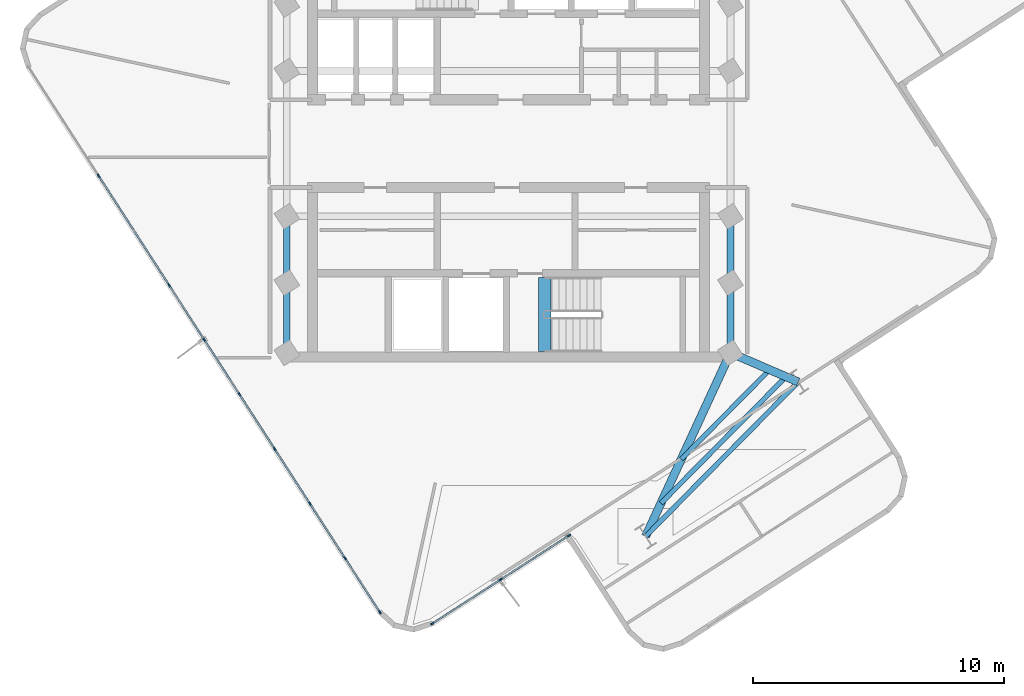
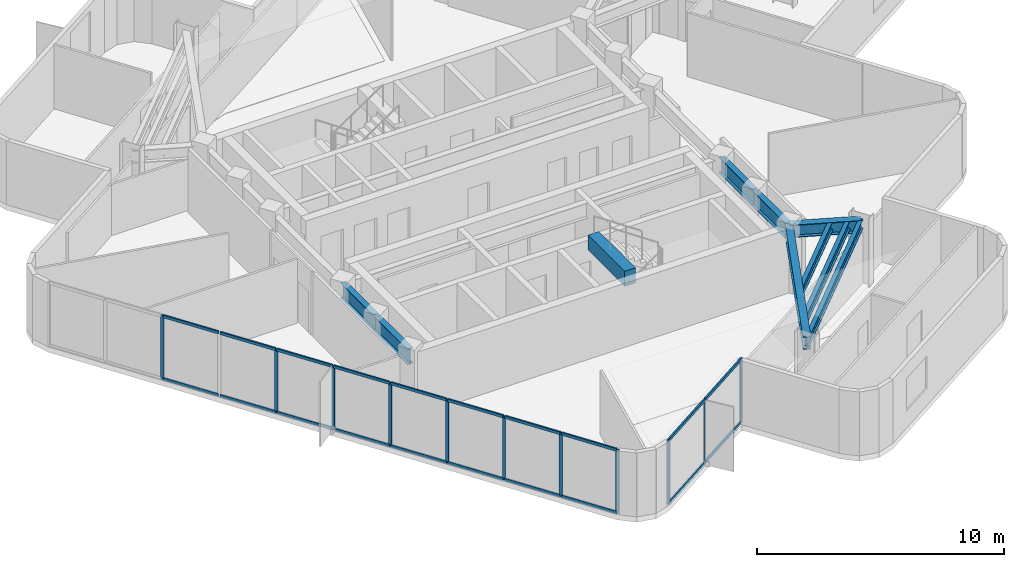
# One storey, part 2 of 9: 31 members, 10 beams, 2 elements without a shape of their own.
"""IFC4 building model written with IfcOpenShell, lengths in metres."""

from ifc_helpers import new_model, si_unit, direction, frame, origin, origin_2d, place, context, subcontext, project, spatial, rectangle, i_section, extrude, material, layer, layer_set, material_profile, profile_set, type_object, element, aggregate, save


model = new_model("IFC4")

# Units and contexts
model_context = context("Model", 3, precision=1e-05, world=origin(), true_north=direction((0.0, 1.0)))
body_context = subcontext(model_context, "Body", "Model", "MODEL_VIEW")
ifc_project = project(units=[si_unit("LENGTHUNIT", "METRE"), si_unit("AREAUNIT", "SQUARE_METRE"), si_unit("VOLUMEUNIT", "CUBIC_METRE"), si_unit("PLANEANGLEUNIT", "RADIAN"), si_unit("MASSUNIT", "GRAM", prefix="KILO")], contexts=[model_context])

# Site, building, storey
site_placement = place(None, origin())
site = spatial("IfcSite", under=ifc_project, at=site_placement, CompositionType="ELEMENT")
building_placement = place(site_placement, origin())
building = spatial("IfcBuilding", under=site, at=building_placement, Name="Solmarez Civic Tower", CompositionType="ELEMENT")
storey_placement = place(building_placement, frame((0.0, 0.0, 215.4599609375)))
storey = spatial("IfcBuildingStorey", under=building, at=storey_placement, Name="L57", CompositionType="ELEMENT", Elevation=215.4599609375)

# Beams
ifc_material_1 = material(Name="Steel S355", Category="steel")
ifc_material_profile_1 = material_profile(ifc_material_1, i_section(OverallWidth=0.19189453125, OverallDepth=0.462890625, WebThickness=0.010498046875, FlangeThickness=0.017578125, at=origin_2d()), Name="W18X60")
ifc_profile_set_1 = profile_set([ifc_material_profile_1], Name="Steel S355")
beam_type_1 = type_object("IfcBeamType", Name="BM-JS-W18X60", PredefinedType="JOIST", material=ifc_profile_set_1)
beam_1_placement = place(storey_placement, frame((5.468017578125, -15.6708984375, 2.927978515625), z_axis=(0.702766092364, 0.711420986072, 0.0), x_axis=(-0.711420986072, 0.702766092364, 0.0)))
element("IfcBeam", 1, at=beam_1_placement, inside=storey, type_object=beam_type_1, Name="L57 Secondary Floor Joist BM-L57-SA-T1", PredefinedType="JOIST", context=body_context, shape_type="SweptSolid", body=[
    extrude(i_section(OverallWidth=0.19189453125, OverallDepth=0.462890625, WebThickness=0.010498046875, FlangeThickness=0.017578125, at=origin_2d()), origin(), (0.0, 0.0, 1.0), 8.659912109375),
])
beam_2_placement = place(storey_placement, frame((6.887939453125, -12.595947265625, 2.927978515625), z_axis=(0.702816380081, 0.711371306625, 0.0), x_axis=(-0.711371306625, 0.702816380081, 0.0)))
element("IfcBeam", 2, at=beam_2_placement, inside=storey, type_object=beam_type_1, Name="L57 Secondary Floor Joist JS-L57-SA-M11", PredefinedType="JOIST", context=body_context, shape_type="SweptSolid", body=[
    extrude(i_section(OverallWidth=0.19189453125, OverallDepth=0.462890625, WebThickness=0.010498046875, FlangeThickness=0.017578125, at=origin_2d()), origin(), (0.0, 0.0, 1.0), 5.022705078125),
])
beam_3_placement = place(storey_placement, frame((6.076904296875, -14.35302734375, 2.927978515625), z_axis=(0.702726827997, 0.711459770622, 0.0), x_axis=(-0.711459770622, 0.702726827997, 0.0)))
element("IfcBeam", 3, at=beam_3_placement, inside=storey, type_object=beam_type_1, Name="L57 Secondary Floor Joist JS-L57-SA-M12", PredefinedType="JOIST", context=body_context, shape_type="SweptSolid", body=[
    extrude(i_section(OverallWidth=0.19189453125, OverallDepth=0.462890625, WebThickness=0.010498046875, FlangeThickness=0.017578125, at=origin_2d()), origin(), (0.0, 0.0, 1.0), 7.100830078125),
])
ifc_material_2 = material(Name="Concrete C50/60", Category="concrete")
ifc_material_profile_2 = material_profile(ifc_material_2, rectangle(XDim=0.5, YDim=0.75, at=origin_2d()), Name="RC500X750")
ifc_profile_set_2 = profile_set([ifc_material_profile_2], Name="Concrete C50/60")
beam_type_2 = type_object("IfcBeamType", Name="BM-PR-RC500X750", PredefinedType="BEAM", material=ifc_profile_set_2)
beam_4_placement = place(storey_placement, frame((1.449951171875, -8.300048828125, 3.052978515625), z_axis=(0.0, 1.0, 0.0), x_axis=(-1.0, 0.0, 0.0)))
element("IfcBeam", 4, at=beam_4_placement, inside=storey, type_object=beam_type_2, Name="L57 South Stair Threshold Beam", PredefinedType="BEAM", context=body_context, shape_type="SweptSolid", body=[
    extrude(rectangle(XDim=0.5, YDim=0.75, at=origin_2d()), origin(), (0.0, 0.0, 1.0), 2.9599609375),
])
ifc_material_profile_3 = material_profile(ifc_material_1, i_section(OverallWidth=0.327880859375, OverallDepth=0.6220703125, WebThickness=0.015380859375, FlangeThickness=0.0244140625, at=origin_2d()), Name="W24X131")
ifc_profile_set_3 = profile_set([ifc_material_profile_3], Name="Steel S355")
beam_type_3 = type_object("IfcBeamType", Name="BM-PR-W24X131", PredefinedType="BEAM", material=ifc_profile_set_3)
beam_5_placement = place(storey_placement, frame((8.85009765625, -8.35009765625, 2.84912109375), z_axis=(-0.419390280967, -0.907806032273, 0.0), x_axis=(0.907806032273, -0.419390280967, 0.0)))
element("IfcBeam", 5, at=beam_5_placement, inside=storey, type_object=beam_type_3, Name="L57 Primary Floor Beam BM-L57-SA-R1A", PredefinedType="BEAM", context=body_context, shape_type="SweptSolid", body=[
    extrude(i_section(OverallWidth=0.327880859375, OverallDepth=0.6220703125, WebThickness=0.015380859375, FlangeThickness=0.0244140625, at=origin_2d()), origin(), (0.0, 0.0, 1.0), 8.064208984375),
])
beam_6_placement = place(storey_placement, frame((8.85009765625, -8.35009765625, 2.84912109375), z_axis=(0.919007627325, -0.394239750557, 0.0), x_axis=(0.394239750557, 0.919007627325, 0.0)))
element("IfcBeam", 6, at=beam_6_placement, inside=storey, type_object=beam_type_3, Name="L57 Primary Floor Beam BM-L57-SA-R1B", PredefinedType="BEAM", context=body_context, shape_type="SweptSolid", body=[
    extrude(i_section(OverallWidth=0.327880859375, OverallDepth=0.6220703125, WebThickness=0.015380859375, FlangeThickness=0.0244140625, at=origin_2d()), origin(), (0.0, 0.0, 1.0), 2.942138671875),
])
ifc_material_profile_4 = material_profile(ifc_material_1, i_section(OverallWidth=0.26708984375, OverallDepth=0.761962890625, WebThickness=0.014404296875, FlangeThickness=0.021484375, at=origin_2d()), Name="W30X116")
ifc_profile_set_4 = profile_set([ifc_material_profile_4], Name="Steel S355")
beam_type_4 = type_object("IfcBeamType", Name="BM-PR-W30X116", PredefinedType="BEAM", material=ifc_profile_set_4)
beam_7_placement = place(storey_placement, frame((-8.85009765625, -8.35009765625, 2.779052734375), z_axis=(0.0, 1.0, 0.0), x_axis=(-1.0, 0.0, 0.0)))
element("IfcBeam", 7, at=beam_7_placement, inside=storey, type_object=beam_type_4, Name="L57 Primary Floor Beam BM-L57-HC12-HC1", PredefinedType="BEAM", context=body_context, shape_type="SweptSolid", body=[
    extrude(i_section(OverallWidth=0.26708984375, OverallDepth=0.761962890625, WebThickness=0.014404296875, FlangeThickness=0.021484375, at=origin_2d()), origin(), (0.0, 0.0, 1.0), 2.800048828125),
])
beam_8_placement = place(storey_placement, frame((-8.85009765625, -5.550048828125, 2.779052734375), z_axis=(0.0, 1.0, 0.0), x_axis=(-1.0, 0.0, 0.0)))
element("IfcBeam", 8, at=beam_8_placement, inside=storey, type_object=beam_type_4, Name="L57 Primary Floor Beam BM-L57-HC1-HC2", PredefinedType="BEAM", context=body_context, shape_type="SweptSolid", body=[
    extrude(i_section(OverallWidth=0.26708984375, OverallDepth=0.761962890625, WebThickness=0.014404296875, FlangeThickness=0.021484375, at=origin_2d()), origin(), (0.0, 0.0, 1.0), 2.650146484375),
])
beam_9_placement = place(storey_placement, frame((8.85009765625, -8.35009765625, 2.779052734375), z_axis=(0.0, 1.0, 0.0), x_axis=(-1.0, 0.0, 0.0)))
element("IfcBeam", 9, at=beam_9_placement, inside=storey, type_object=beam_type_4, Name="L57 Primary Floor Beam BM-L57-HC10-HC5", PredefinedType="BEAM", context=body_context, shape_type="SweptSolid", body=[
    extrude(i_section(OverallWidth=0.26708984375, OverallDepth=0.761962890625, WebThickness=0.014404296875, FlangeThickness=0.021484375, at=origin_2d()), origin(), (0.0, 0.0, 1.0), 2.800048828125),
])
beam_10_placement = place(storey_placement, frame((8.85009765625, -5.550048828125, 2.779052734375), z_axis=(0.0, 1.0, 0.0), x_axis=(-1.0, 0.0, 0.0)))
element("IfcBeam", 10, at=beam_10_placement, inside=storey, type_object=beam_type_4, Name="L57 Primary Floor Beam BM-L57-HC5-HC6", PredefinedType="BEAM", context=body_context, shape_type="SweptSolid", body=[
    extrude(i_section(OverallWidth=0.26708984375, OverallDepth=0.761962890625, WebThickness=0.014404296875, FlangeThickness=0.021484375, at=origin_2d()), origin(), (0.0, 0.0, 1.0), 2.650146484375),
])

# Curtain wall, members
ifc_material_3 = material(Name="Bronze Anodised Aluminium EN AW-6063 T6", Category="aluminium")
ifc_layer = layer(ifc_material_3, 0.1650390625)
ifc_layer_set = layer_set([ifc_layer], Name="Bronze Anodised Aluminium EN AW-6063 T6")
curtain_wall_type = type_object("IfcCurtainWallType", Name="CW-SYS-4", PredefinedType="NOTDEFINED", material=ifc_layer_set)
curtain_wall_1_placement = place(storey_placement, origin())
curtain_wall_1 = element("IfcCurtainWall", 11, at=curtain_wall_1_placement, inside=storey, type_object=curtain_wall_type, Name="L57 Stick-Built Curtain Wall 1", PredefinedType="NOTDEFINED")
ifc_material_profile_5 = material_profile(ifc_material_3, rectangle(XDim=0.06005859375, YDim=0.14990234375, at=origin_2d()), Name="CWM-60X150")
ifc_profile_set_5 = profile_set([ifc_material_profile_5], Name="Bronze Anodised Aluminium EN AW-6063 T6")
member_type_1 = type_object("IfcMemberType", Name="CWM-TYPE-4", PredefinedType="MULLION", material=ifc_profile_set_5)
member_1_placement = place(storey_placement, frame((2.40576171875, -15.64013671875, 0.0), z_axis=(0.0, 0.0, 1.0), x_axis=(0.541722933977, -0.84055711454, 0.0)))
member_1 = element("IfcMember", 12, at=member_1_placement, type_object=member_type_1, Name="CWS4 mullion 1", PredefinedType="MULLION", context=body_context, shape_type="SweptSolid", body=[
    extrude(rectangle(XDim=0.06005859375, YDim=0.14990234375, at=origin_2d()), origin(), (0.0, 0.0, 1.0), 3.16015625),
])
member_2_placement = place(storey_placement, frame((-0.318603515625, -17.39599609375, 0.0), z_axis=(0.0, 0.0, 1.0), x_axis=(0.541722933977, -0.84055711454, 0.0)))
member_2 = element("IfcMember", 13, at=member_2_placement, type_object=member_type_1, Name="CWS4 mullion 2", PredefinedType="MULLION", context=body_context, shape_type="SweptSolid", body=[
    extrude(rectangle(XDim=0.06005859375, YDim=0.14990234375, at=origin_2d()), origin(), (0.0, 0.0, 1.0), 3.16015625),
])
member_3_placement = place(storey_placement, frame((-3.042724609375, -19.15185546875, 0.0), z_axis=(0.0, 0.0, 1.0), x_axis=(0.541722933977, -0.84055711454, 0.0)))
member_3 = element("IfcMember", 14, at=member_3_placement, type_object=member_type_1, Name="CWS4 mullion 3", PredefinedType="MULLION", context=body_context, shape_type="SweptSolid", body=[
    extrude(rectangle(XDim=0.06005859375, YDim=0.14990234375, at=origin_2d()), origin(), (0.0, 0.0, 1.0), 3.16015625),
])

curtain_wall_2_placement = place(storey_placement, origin())
curtain_wall_2 = element("IfcCurtainWall", 15, at=curtain_wall_2_placement, inside=storey, type_object=curtain_wall_type, Name="L57 Stick-Built Curtain Wall 2", PredefinedType="NOTDEFINED")
member_4_placement = place(storey_placement, frame((-5.14013671875, -18.69775390625, 0.0), z_axis=(0.0, 0.0, 1.0), x_axis=(-0.840555031971, -0.541726165354, 0.0)))
member_4 = element("IfcMember", 16, at=member_4_placement, type_object=member_type_1, Name="CWS4 mullion 1", PredefinedType="MULLION", context=body_context, shape_type="SweptSolid", body=[
    extrude(rectangle(XDim=0.06005859375, YDim=0.14990234375, at=origin_2d()), origin(), (0.0, 0.0, 1.0), 3.16015625),
])
member_5_placement = place(storey_placement, frame((-6.5283203125, -16.5439453125, 0.0), z_axis=(0.0, 0.0, 1.0), x_axis=(-0.840555031971, -0.541726165354, 0.0)))
member_5 = element("IfcMember", 17, at=member_5_placement, type_object=member_type_1, Name="CWS4 mullion 2", PredefinedType="MULLION", context=body_context, shape_type="SweptSolid", body=[
    extrude(rectangle(XDim=0.06005859375, YDim=0.14990234375, at=origin_2d()), origin(), (0.0, 0.0, 1.0), 3.16015625),
])
member_6_placement = place(storey_placement, frame((-7.932861328125, -14.36474609375, 0.0), z_axis=(0.0, 0.0, 1.0), x_axis=(-0.840555031971, -0.541726165354, 0.0)))
member_6 = element("IfcMember", 18, at=member_6_placement, type_object=member_type_1, Name="CWS4 mullion 3", PredefinedType="MULLION", context=body_context, shape_type="SweptSolid", body=[
    extrude(rectangle(XDim=0.06005859375, YDim=0.14990234375, at=origin_2d()), origin(), (0.0, 0.0, 1.0), 3.16015625),
])
member_7_placement = place(storey_placement, frame((-9.337158203125, -12.185791015625, 0.0), z_axis=(0.0, 0.0, 1.0), x_axis=(-0.840555031971, -0.541726165354, 0.0)))
member_7 = element("IfcMember", 19, at=member_7_placement, type_object=member_type_1, Name="CWS4 mullion 4", PredefinedType="MULLION", context=body_context, shape_type="SweptSolid", body=[
    extrude(rectangle(XDim=0.06005859375, YDim=0.14990234375, at=origin_2d()), origin(), (0.0, 0.0, 1.0), 3.16015625),
])
member_8_placement = place(storey_placement, frame((-10.74169921875, -10.006591796875, 0.0), z_axis=(0.0, 0.0, 1.0), x_axis=(-0.840555031971, -0.541726165354, 0.0)))
member_8 = element("IfcMember", 20, at=member_8_placement, type_object=member_type_1, Name="CWS4 mullion 5", PredefinedType="MULLION", context=body_context, shape_type="SweptSolid", body=[
    extrude(rectangle(XDim=0.06005859375, YDim=0.14990234375, at=origin_2d()), origin(), (0.0, 0.0, 1.0), 3.16015625),
])
member_9_placement = place(storey_placement, frame((-12.14599609375, -7.827392578125, 0.0), z_axis=(0.0, 0.0, 1.0), x_axis=(-0.840555031971, -0.541726165354, 0.0)))
member_9 = element("IfcMember", 21, at=member_9_placement, type_object=member_type_1, Name="CWS4 mullion 6", PredefinedType="MULLION", context=body_context, shape_type="SweptSolid", body=[
    extrude(rectangle(XDim=0.06005859375, YDim=0.14990234375, at=origin_2d()), origin(), (0.0, 0.0, 1.0), 3.16015625),
])
member_10_placement = place(storey_placement, frame((-13.55029296875, -5.6484375, 0.0), z_axis=(0.0, 0.0, 1.0), x_axis=(-0.840555031971, -0.541726165354, 0.0)))
member_10 = element("IfcMember", 22, at=member_10_placement, type_object=member_type_1, Name="CWS4 mullion 7", PredefinedType="MULLION", context=body_context, shape_type="SweptSolid", body=[
    extrude(rectangle(XDim=0.06005859375, YDim=0.14990234375, at=origin_2d()), origin(), (0.0, 0.0, 1.0), 3.16015625),
])
member_11_placement = place(storey_placement, frame((-16.359130859375, -1.290283203125, 0.0), z_axis=(0.0, 0.0, 1.0), x_axis=(-0.840555031971, -0.541726165354, 0.0)))
member_11 = element("IfcMember", 23, at=member_11_placement, type_object=member_type_1, Name="CWS4 mullion 9", PredefinedType="MULLION", context=body_context, shape_type="SweptSolid", body=[
    extrude(rectangle(XDim=0.06005859375, YDim=0.14990234375, at=origin_2d()), origin(), (0.0, 0.0, 1.0), 3.16015625),
])

# Member
ifc_material_profile_6 = material_profile(ifc_material_3, rectangle(XDim=0.070068359375, YDim=0.139892578125, at=origin_2d()), Name="CWT-70X140")
ifc_profile_set_6 = profile_set([ifc_material_profile_6], Name="Bronze Anodised Aluminium EN AW-6063 T6")
member_type_2 = type_object("IfcMemberType", Name="CWT-TYPE-1", PredefinedType="USERDEFINED", material=ifc_profile_set_6)
member_12_placement = place(storey_placement, frame((2.380615234375, -15.656494140625, 0.03515625), z_axis=(-0.840569481874, -0.541703743888, 0.0), x_axis=(0.541703743888, -0.840569481874, 0.0)))
member_12 = element("IfcMember", 24, at=member_12_placement, type_object=member_type_2, Name="CWS4 transom 1.1", ObjectType="TRANSOM", PredefinedType="USERDEFINED", context=body_context, shape_type="SweptSolid", body=[
    extrude(rectangle(XDim=0.070068359375, YDim=0.139892578125, at=origin_2d()), origin(), (0.0, 0.0, 1.0), 3.180908203125),
])

member_13_placement = place(storey_placement, frame((2.380615234375, -15.656494140625, 3.125), z_axis=(-0.840569481874, -0.541703743888, 0.0), x_axis=(0.541703743888, -0.840569481874, 0.0)))
member_13 = element("IfcMember", 25, at=member_13_placement, type_object=member_type_2, Name="CWS4 transom 1.2", ObjectType="TRANSOM", PredefinedType="USERDEFINED", context=body_context, shape_type="SweptSolid", body=[
    extrude(rectangle(XDim=0.070068359375, YDim=0.139892578125, at=origin_2d()), origin(), (0.0, 0.0, 1.0), 3.180908203125),
])

member_14_placement = place(storey_placement, frame((-0.34375, -17.412353515625, 0.03515625), z_axis=(-0.840569481874, -0.541703743888, 0.0), x_axis=(0.541703743888, -0.840569481874, 0.0)))
member_14 = element("IfcMember", 26, at=member_14_placement, type_object=member_type_2, Name="CWS4 transom 2.1", ObjectType="TRANSOM", PredefinedType="USERDEFINED", context=body_context, shape_type="SweptSolid", body=[
    extrude(rectangle(XDim=0.070068359375, YDim=0.139892578125, at=origin_2d()), origin(), (0.0, 0.0, 1.0), 3.180908203125),
])

member_15_placement = place(storey_placement, frame((-0.34375, -17.412353515625, 3.125), z_axis=(-0.840569481874, -0.541703743888, 0.0), x_axis=(0.541703743888, -0.840569481874, 0.0)))
member_15 = element("IfcMember", 27, at=member_15_placement, type_object=member_type_2, Name="CWS4 transom 2.2", ObjectType="TRANSOM", PredefinedType="USERDEFINED", context=body_context, shape_type="SweptSolid", body=[
    extrude(rectangle(XDim=0.070068359375, YDim=0.139892578125, at=origin_2d()), origin(), (0.0, 0.0, 1.0), 3.180908203125),
])

aggregate(curtain_wall_1, [member_1, member_2, member_3, member_12, member_13, member_14, member_15])

member_16_placement = place(storey_placement, frame((-5.156494140625, -18.672607421875, 0.03515625), z_axis=(-0.541733500559, 0.840550304487, 0.0), x_axis=(-0.840550304487, -0.541733500559, 0.0)))
member_16 = element("IfcMember", 28, at=member_16_placement, type_object=member_type_2, Name="CWS4 transom 1.1", ObjectType="TRANSOM", PredefinedType="USERDEFINED", context=body_context, shape_type="SweptSolid", body=[
    extrude(rectangle(XDim=0.070068359375, YDim=0.139892578125, at=origin_2d()), origin(), (0.0, 0.0, 1.0), 2.50244140625),
])

member_17_placement = place(storey_placement, frame((-5.156494140625, -18.672607421875, 3.125), z_axis=(-0.541733500559, 0.840550304487, 0.0), x_axis=(-0.840550304487, -0.541733500559, 0.0)))
member_17 = element("IfcMember", 29, at=member_17_placement, type_object=member_type_2, Name="CWS4 transom 1.2", ObjectType="TRANSOM", PredefinedType="USERDEFINED", context=body_context, shape_type="SweptSolid", body=[
    extrude(rectangle(XDim=0.070068359375, YDim=0.139892578125, at=origin_2d()), origin(), (0.0, 0.0, 1.0), 2.50244140625),
])

member_18_placement = place(storey_placement, frame((-6.544677734375, -16.518798828125, 0.03515625), z_axis=(-0.541707388544, 0.840567133069, 0.0), x_axis=(-0.840567133069, -0.541707388544, 0.0)))
member_18 = element("IfcMember", 30, at=member_18_placement, type_object=member_type_2, Name="CWS4 transom 2.1", ObjectType="TRANSOM", PredefinedType="USERDEFINED", context=body_context, shape_type="SweptSolid", body=[
    extrude(rectangle(XDim=0.070068359375, YDim=0.139892578125, at=origin_2d()), origin(), (0.0, 0.0, 1.0), 2.532470703125),
])

member_19_placement = place(storey_placement, frame((-6.544677734375, -16.518798828125, 3.125), z_axis=(-0.541707388544, 0.840567133069, 0.0), x_axis=(-0.840567133069, -0.541707388544, 0.0)))
member_19 = element("IfcMember", 31, at=member_19_placement, type_object=member_type_2, Name="CWS4 transom 2.2", ObjectType="TRANSOM", PredefinedType="USERDEFINED", context=body_context, shape_type="SweptSolid", body=[
    extrude(rectangle(XDim=0.070068359375, YDim=0.139892578125, at=origin_2d()), origin(), (0.0, 0.0, 1.0), 2.532470703125),
])

member_20_placement = place(storey_placement, frame((-7.948974609375, -14.339599609375, 0.03515625), z_axis=(-0.541775499428, 0.840523234789, 0.0), x_axis=(-0.840523234789, -0.541775499428, 0.0)))
member_20 = element("IfcMember", 32, at=member_20_placement, type_object=member_type_2, Name="CWS4 transom 3.1", ObjectType="TRANSOM", PredefinedType="USERDEFINED", context=body_context, shape_type="SweptSolid", body=[
    extrude(rectangle(XDim=0.070068359375, YDim=0.139892578125, at=origin_2d()), origin(), (0.0, 0.0, 1.0), 2.532470703125),
])

member_21_placement = place(storey_placement, frame((-7.948974609375, -14.339599609375, 3.125), z_axis=(-0.541775499428, 0.840523234789, 0.0), x_axis=(-0.840523234789, -0.541775499428, 0.0)))
member_21 = element("IfcMember", 33, at=member_21_placement, type_object=member_type_2, Name="CWS4 transom 3.2", ObjectType="TRANSOM", PredefinedType="USERDEFINED", context=body_context, shape_type="SweptSolid", body=[
    extrude(rectangle(XDim=0.070068359375, YDim=0.139892578125, at=origin_2d()), origin(), (0.0, 0.0, 1.0), 2.532470703125),
])

member_22_placement = place(storey_placement, frame((-9.353515625, -12.160400390625, 0.03515625), z_axis=(-0.541707388544, 0.840567133069, 0.0), x_axis=(-0.840567133069, -0.541707388544, 0.0)))
member_22 = element("IfcMember", 34, at=member_22_placement, type_object=member_type_2, Name="CWS4 transom 4.1", ObjectType="TRANSOM", PredefinedType="USERDEFINED", context=body_context, shape_type="SweptSolid", body=[
    extrude(rectangle(XDim=0.070068359375, YDim=0.139892578125, at=origin_2d()), origin(), (0.0, 0.0, 1.0), 2.532470703125),
])

member_23_placement = place(storey_placement, frame((-9.353515625, -12.160400390625, 3.125), z_axis=(-0.541707388544, 0.840567133069, 0.0), x_axis=(-0.840567133069, -0.541707388544, 0.0)))
member_23 = element("IfcMember", 35, at=member_23_placement, type_object=member_type_2, Name="CWS4 transom 4.2", ObjectType="TRANSOM", PredefinedType="USERDEFINED", context=body_context, shape_type="SweptSolid", body=[
    extrude(rectangle(XDim=0.070068359375, YDim=0.139892578125, at=origin_2d()), origin(), (0.0, 0.0, 1.0), 2.532470703125),
])

member_24_placement = place(storey_placement, frame((-10.7578125, -9.9814453125, 0.03515625), z_axis=(-0.541707388544, 0.840567133069, 0.0), x_axis=(-0.840567133069, -0.541707388544, 0.0)))
member_24 = element("IfcMember", 36, at=member_24_placement, type_object=member_type_2, Name="CWS4 transom 5.1", ObjectType="TRANSOM", PredefinedType="USERDEFINED", context=body_context, shape_type="SweptSolid", body=[
    extrude(rectangle(XDim=0.070068359375, YDim=0.139892578125, at=origin_2d()), origin(), (0.0, 0.0, 1.0), 2.532470703125),
])

member_25_placement = place(storey_placement, frame((-10.7578125, -9.9814453125, 3.125), z_axis=(-0.541707388544, 0.840567133069, 0.0), x_axis=(-0.840567133069, -0.541707388544, 0.0)))
member_25 = element("IfcMember", 37, at=member_25_placement, type_object=member_type_2, Name="CWS4 transom 5.2", ObjectType="TRANSOM", PredefinedType="USERDEFINED", context=body_context, shape_type="SweptSolid", body=[
    extrude(rectangle(XDim=0.070068359375, YDim=0.139892578125, at=origin_2d()), origin(), (0.0, 0.0, 1.0), 2.532470703125),
])

member_26_placement = place(storey_placement, frame((-12.162353515625, -7.80224609375, 0.03515625), z_axis=(-0.541707388544, 0.840567133069, 0.0), x_axis=(-0.840567133069, -0.541707388544, 0.0)))
member_26 = element("IfcMember", 38, at=member_26_placement, type_object=member_type_2, Name="CWS4 transom 6.1", ObjectType="TRANSOM", PredefinedType="USERDEFINED", context=body_context, shape_type="SweptSolid", body=[
    extrude(rectangle(XDim=0.070068359375, YDim=0.139892578125, at=origin_2d()), origin(), (0.0, 0.0, 1.0), 2.532470703125),
])

member_27_placement = place(storey_placement, frame((-12.162353515625, -7.80224609375, 3.125), z_axis=(-0.541707388544, 0.840567133069, 0.0), x_axis=(-0.840567133069, -0.541707388544, 0.0)))
member_27 = element("IfcMember", 39, at=member_27_placement, type_object=member_type_2, Name="CWS4 transom 6.2", ObjectType="TRANSOM", PredefinedType="USERDEFINED", context=body_context, shape_type="SweptSolid", body=[
    extrude(rectangle(XDim=0.070068359375, YDim=0.139892578125, at=origin_2d()), origin(), (0.0, 0.0, 1.0), 2.532470703125),
])

member_28_placement = place(storey_placement, frame((-13.566650390625, -5.623291015625, 0.03515625), z_axis=(-0.541707388544, 0.840567133069, 0.0), x_axis=(-0.840567133069, -0.541707388544, 0.0)))
member_28 = element("IfcMember", 40, at=member_28_placement, type_object=member_type_2, Name="CWS4 transom 7.1", ObjectType="TRANSOM", PredefinedType="USERDEFINED", context=body_context, shape_type="SweptSolid", body=[
    extrude(rectangle(XDim=0.070068359375, YDim=0.139892578125, at=origin_2d()), origin(), (0.0, 0.0, 1.0), 2.532470703125),
])

member_29_placement = place(storey_placement, frame((-13.566650390625, -5.623291015625, 3.125), z_axis=(-0.541707388544, 0.840567133069, 0.0), x_axis=(-0.840567133069, -0.541707388544, 0.0)))
member_29 = element("IfcMember", 41, at=member_29_placement, type_object=member_type_2, Name="CWS4 transom 7.2", ObjectType="TRANSOM", PredefinedType="USERDEFINED", context=body_context, shape_type="SweptSolid", body=[
    extrude(rectangle(XDim=0.070068359375, YDim=0.139892578125, at=origin_2d()), origin(), (0.0, 0.0, 1.0), 2.532470703125),
])

member_30_placement = place(storey_placement, frame((-14.970947265625, -3.444091796875, 0.03515625), z_axis=(-0.541775499428, 0.840523234789, 0.0), x_axis=(-0.840523234789, -0.541775499428, 0.0)))
member_30 = element("IfcMember", 42, at=member_30_placement, type_object=member_type_2, Name="CWS4 transom 8.1", ObjectType="TRANSOM", PredefinedType="USERDEFINED", context=body_context, shape_type="SweptSolid", body=[
    extrude(rectangle(XDim=0.070068359375, YDim=0.139892578125, at=origin_2d()), origin(), (0.0, 0.0, 1.0), 2.532470703125),
])

member_31_placement = place(storey_placement, frame((-14.970947265625, -3.444091796875, 3.125), z_axis=(-0.541775499428, 0.840523234789, 0.0), x_axis=(-0.840523234789, -0.541775499428, 0.0)))
member_31 = element("IfcMember", 43, at=member_31_placement, type_object=member_type_2, Name="CWS4 transom 8.2", ObjectType="TRANSOM", PredefinedType="USERDEFINED", context=body_context, shape_type="SweptSolid", body=[
    extrude(rectangle(XDim=0.070068359375, YDim=0.139892578125, at=origin_2d()), origin(), (0.0, 0.0, 1.0), 2.532470703125),
])

aggregate(curtain_wall_2, [member_4, member_5, member_6, member_7, member_8, member_9, member_10, member_11, member_16, member_17, member_18, member_19, member_20, member_21, member_22, member_23, member_24, member_25, member_26, member_27, member_28, member_29, member_30, member_31])

save(model, "model.ifc")
